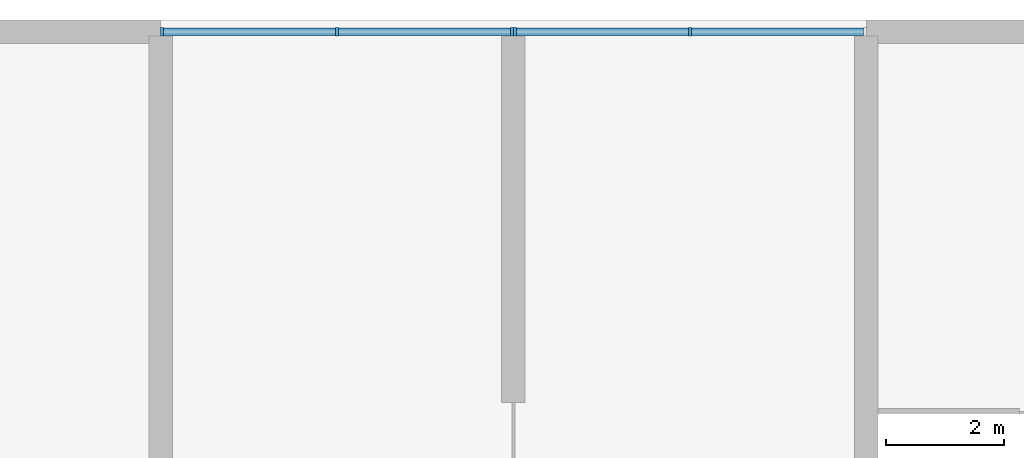
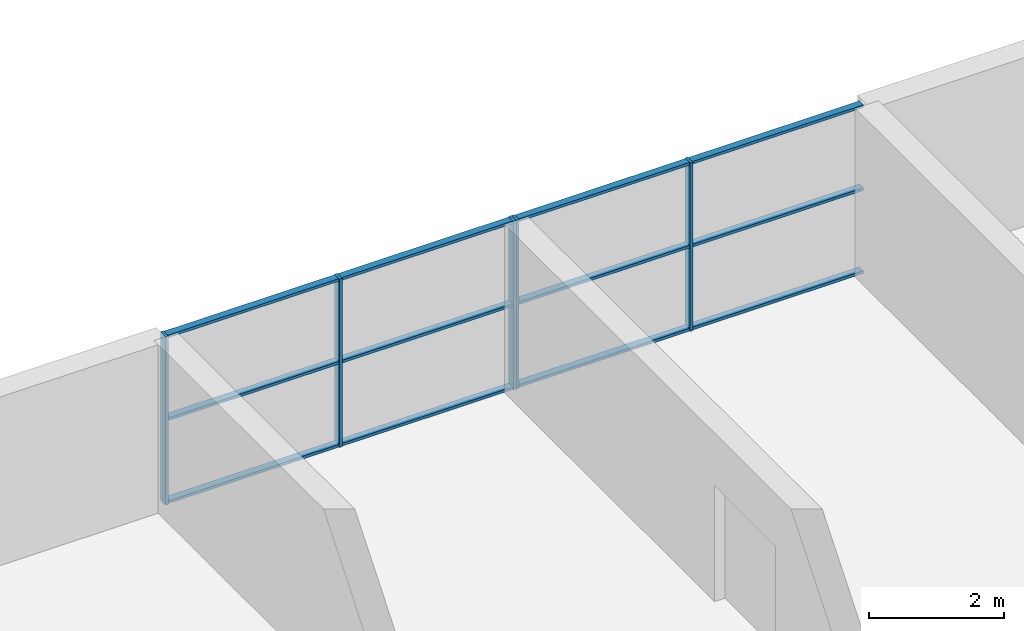
# One storey, part 3 of 21: 17 members, 2 elements without a shape of their own.
"""IFC4 building model written with IfcOpenShell, lengths in metres."""

from ifc_helpers import new_model, si_unit, direction, frame, origin, origin_2d, place, context, subcontext, project, spatial, rectangle, extrude, material, layer, layer_set, material_profile, profile_set, type_object, element, aggregate, save


model = new_model("IFC4")

# Units and contexts
model_context = context("Model", 3, precision=1e-05, world=origin(), true_north=direction((0.0, 1.0)))
body_context = subcontext(model_context, "Body", "Model", "MODEL_VIEW")
ifc_project = project(units=[si_unit("LENGTHUNIT", "METRE"), si_unit("AREAUNIT", "SQUARE_METRE"), si_unit("VOLUMEUNIT", "CUBIC_METRE"), si_unit("PLANEANGLEUNIT", "RADIAN"), si_unit("MASSUNIT", "GRAM", prefix="KILO")], contexts=[model_context])

# Site, building, storey
site_placement = place(None, origin())
site = spatial("IfcSite", under=ifc_project, at=site_placement, CompositionType="ELEMENT")
building_placement = place(site_placement, origin())
building = spatial("IfcBuilding", under=site, at=building_placement, Name="Poui Terraces", CompositionType="ELEMENT")
storey_placement = place(building_placement, frame((0.0, 0.0, 53.10009765625)))
storey = spatial("IfcBuildingStorey", under=building, at=storey_placement, Name="L14", CompositionType="ELEMENT", Elevation=53.10009765625)

# Curtain wall, members
ifc_material_1 = material(Name="Clear glass", Category="glass")
ifc_layer = layer(ifc_material_1, 0.14990234375)
ifc_layer_set = layer_set([ifc_layer], Name="Clear glass")
curtain_wall_type = type_object("IfcCurtainWallType", Name="CURTAIN WALL CW-C COMMUNITY HALL GLAZING", PredefinedType="NOTDEFINED", material=ifc_layer_set)
curtain_wall_1_placement = place(storey_placement, origin())
curtain_wall_1 = element("IfcCurtainWall", 1, at=curtain_wall_1_placement, inside=storey, type_object=curtain_wall_type, Name="CW-C COMMUNITY HALL GLAZING", PredefinedType="NOTDEFINED")
ifc_material_2 = material(Name="Aluminium frame", Category="aluminium")
ifc_material_profile_1 = material_profile(ifc_material_2, rectangle(XDim=0.14990234375, YDim=0.050048828125, at=origin_2d()), Name="CW-C MULLION 50X150")
ifc_profile_set_1 = profile_set([ifc_material_profile_1], Name="Aluminium frame")
member_type_1 = type_object("IfcMemberType", Name="CW-C MULLION 50X150", PredefinedType="MULLION", material=ifc_profile_set_1)
member_1_placement = place(storey_placement, frame((59.97509765625, 44.800048828125, 0.0), z_axis=(0.0, 0.0, 1.0), x_axis=(0.0, -1.0, 0.0)))
member_1 = element("IfcMember", 2, at=member_1_placement, type_object=member_type_1, Name="CW-C mullion 1", PredefinedType="MULLION", context=body_context, shape_type="SweptSolid", body=[
    extrude(rectangle(XDim=0.14990234375, YDim=0.050048828125, at=origin_2d()), origin(), (0.0, 0.0, 1.0), 3.0498046875),
])
member_2_placement = place(storey_placement, frame((57.0, 44.800048828125, 0.0), z_axis=(0.0, 0.0, 1.0), x_axis=(0.0, -1.0, 0.0)))
member_2 = element("IfcMember", 3, at=member_2_placement, type_object=member_type_1, Name="CW-C mullion 2", PredefinedType="MULLION", context=body_context, shape_type="SweptSolid", body=[
    extrude(rectangle(XDim=0.14990234375, YDim=0.050048828125, at=origin_2d()), origin(), (0.0, 0.0, 1.0), 3.0498046875),
])
member_3_placement = place(storey_placement, frame((54.02490234375, 44.800048828125, 0.0), z_axis=(0.0, 0.0, 1.0), x_axis=(0.0, -1.0, 0.0)))
member_3 = element("IfcMember", 4, at=member_3_placement, type_object=member_type_1, Name="CW-C mullion 3", PredefinedType="MULLION", context=body_context, shape_type="SweptSolid", body=[
    extrude(rectangle(XDim=0.14990234375, YDim=0.050048828125, at=origin_2d()), origin(), (0.0, 0.0, 1.0), 3.0498046875),
])

curtain_wall_2_placement = place(storey_placement, origin())
curtain_wall_2 = element("IfcCurtainWall", 5, at=curtain_wall_2_placement, inside=storey, type_object=curtain_wall_type, Name="CW-C COMMUNITY HALL GLAZING", PredefinedType="NOTDEFINED")
member_4_placement = place(storey_placement, frame((63.0, 44.800048828125, 0.0), z_axis=(0.0, 0.0, 1.0), x_axis=(0.0, -1.0, 0.0)))
member_4 = element("IfcMember", 6, at=member_4_placement, type_object=member_type_1, Name="CW-C mullion 2", PredefinedType="MULLION", context=body_context, shape_type="SweptSolid", body=[
    extrude(rectangle(XDim=0.14990234375, YDim=0.050048828125, at=origin_2d()), origin(), (0.0, 0.0, 1.0), 3.0498046875),
])
member_5_placement = place(storey_placement, frame((60.02490234375, 44.800048828125, 0.0), z_axis=(0.0, 0.0, 1.0), x_axis=(0.0, -1.0, 0.0)))
member_5 = element("IfcMember", 7, at=member_5_placement, type_object=member_type_1, Name="CW-C mullion 3", PredefinedType="MULLION", context=body_context, shape_type="SweptSolid", body=[
    extrude(rectangle(XDim=0.14990234375, YDim=0.050048828125, at=origin_2d()), origin(), (0.0, 0.0, 1.0), 3.0498046875),
])

# Member
ifc_material_profile_2 = material_profile(ifc_material_2, rectangle(XDim=0.1201171875, YDim=0.050048828125, at=origin_2d()), Name="CW-C TRANSOM 50X120")
ifc_profile_set_2 = profile_set([ifc_material_profile_2], Name="Aluminium frame")
member_type_2 = type_object("IfcMemberType", Name="CW-C TRANSOM 50X120", PredefinedType="USERDEFINED", material=ifc_profile_set_2)
member_6_placement = place(storey_placement, frame((59.949951171875, 44.800048828125, 0.02490234375), z_axis=(-1.0, 0.0, 0.0), x_axis=(0.0, -1.0, 0.0)))
member_6 = element("IfcMember", 8, at=member_6_placement, type_object=member_type_2, Name="CW-C transom 1.1", ObjectType="TRANSOM", PredefinedType="USERDEFINED", context=body_context, shape_type="SweptSolid", body=[
    extrude(rectangle(XDim=0.1201171875, YDim=0.050048828125, at=origin_2d()), origin(), (0.0, 0.0, 1.0), 2.925048828125),
])

member_7_placement = place(storey_placement, frame((59.949951171875, 44.800048828125, 1.52490234375), z_axis=(-1.0, 0.0, 0.0), x_axis=(0.0, -1.0, 0.0)))
member_7 = element("IfcMember", 9, at=member_7_placement, type_object=member_type_2, Name="CW-C transom 1.2", ObjectType="TRANSOM", PredefinedType="USERDEFINED", context=body_context, shape_type="SweptSolid", body=[
    extrude(rectangle(XDim=0.1201171875, YDim=0.050048828125, at=origin_2d()), origin(), (0.0, 0.0, 1.0), 2.925048828125),
])

member_8_placement = place(storey_placement, frame((59.949951171875, 44.800048828125, 3.02490234375), z_axis=(-1.0, 0.0, 0.0), x_axis=(0.0, -1.0, 0.0)))
member_8 = element("IfcMember", 10, at=member_8_placement, type_object=member_type_2, Name="CW-C transom 1.3", ObjectType="TRANSOM", PredefinedType="USERDEFINED", context=body_context, shape_type="SweptSolid", body=[
    extrude(rectangle(XDim=0.1201171875, YDim=0.050048828125, at=origin_2d()), origin(), (0.0, 0.0, 1.0), 2.925048828125),
])

member_9_placement = place(storey_placement, frame((56.97509765625, 44.800048828125, 0.02490234375), z_axis=(-1.0, 0.0, 0.0), x_axis=(0.0, -1.0, 0.0)))
member_9 = element("IfcMember", 11, at=member_9_placement, type_object=member_type_2, Name="CW-C transom 2.1", ObjectType="TRANSOM", PredefinedType="USERDEFINED", context=body_context, shape_type="SweptSolid", body=[
    extrude(rectangle(XDim=0.1201171875, YDim=0.050048828125, at=origin_2d()), origin(), (0.0, 0.0, 1.0), 2.925048828125),
])

member_10_placement = place(storey_placement, frame((56.97509765625, 44.800048828125, 1.52490234375), z_axis=(-1.0, 0.0, 0.0), x_axis=(0.0, -1.0, 0.0)))
member_10 = element("IfcMember", 12, at=member_10_placement, type_object=member_type_2, Name="CW-C transom 2.2", ObjectType="TRANSOM", PredefinedType="USERDEFINED", context=body_context, shape_type="SweptSolid", body=[
    extrude(rectangle(XDim=0.1201171875, YDim=0.050048828125, at=origin_2d()), origin(), (0.0, 0.0, 1.0), 2.925048828125),
])

member_11_placement = place(storey_placement, frame((56.97509765625, 44.800048828125, 3.02490234375), z_axis=(-1.0, 0.0, 0.0), x_axis=(0.0, -1.0, 0.0)))
member_11 = element("IfcMember", 13, at=member_11_placement, type_object=member_type_2, Name="CW-C transom 2.3", ObjectType="TRANSOM", PredefinedType="USERDEFINED", context=body_context, shape_type="SweptSolid", body=[
    extrude(rectangle(XDim=0.1201171875, YDim=0.050048828125, at=origin_2d()), origin(), (0.0, 0.0, 1.0), 2.925048828125),
])

aggregate(curtain_wall_1, [member_1, member_2, member_3, member_6, member_7, member_8, member_9, member_10, member_11])

member_12_placement = place(storey_placement, frame((65.949951171875, 44.800048828125, 0.02490234375), z_axis=(-1.0, 0.0, 0.0), x_axis=(0.0, -1.0, 0.0)))
member_12 = element("IfcMember", 14, at=member_12_placement, type_object=member_type_2, Name="CW-C transom 1.1", ObjectType="TRANSOM", PredefinedType="USERDEFINED", context=body_context, shape_type="SweptSolid", body=[
    extrude(rectangle(XDim=0.1201171875, YDim=0.050048828125, at=origin_2d()), origin(), (0.0, 0.0, 1.0), 2.925048828125),
])

member_13_placement = place(storey_placement, frame((65.949951171875, 44.800048828125, 1.52490234375), z_axis=(-1.0, 0.0, 0.0), x_axis=(0.0, -1.0, 0.0)))
member_13 = element("IfcMember", 15, at=member_13_placement, type_object=member_type_2, Name="CW-C transom 1.2", ObjectType="TRANSOM", PredefinedType="USERDEFINED", context=body_context, shape_type="SweptSolid", body=[
    extrude(rectangle(XDim=0.1201171875, YDim=0.050048828125, at=origin_2d()), origin(), (0.0, 0.0, 1.0), 2.925048828125),
])

member_14_placement = place(storey_placement, frame((65.949951171875, 44.800048828125, 3.02490234375), z_axis=(-1.0, 0.0, 0.0), x_axis=(0.0, -1.0, 0.0)))
member_14 = element("IfcMember", 16, at=member_14_placement, type_object=member_type_2, Name="CW-C transom 1.3", ObjectType="TRANSOM", PredefinedType="USERDEFINED", context=body_context, shape_type="SweptSolid", body=[
    extrude(rectangle(XDim=0.1201171875, YDim=0.050048828125, at=origin_2d()), origin(), (0.0, 0.0, 1.0), 2.925048828125),
])

member_15_placement = place(storey_placement, frame((62.97509765625, 44.800048828125, 0.02490234375), z_axis=(-1.0, 0.0, 0.0), x_axis=(0.0, -1.0, 0.0)))
member_15 = element("IfcMember", 17, at=member_15_placement, type_object=member_type_2, Name="CW-C transom 2.1", ObjectType="TRANSOM", PredefinedType="USERDEFINED", context=body_context, shape_type="SweptSolid", body=[
    extrude(rectangle(XDim=0.1201171875, YDim=0.050048828125, at=origin_2d()), origin(), (0.0, 0.0, 1.0), 2.925048828125),
])

member_16_placement = place(storey_placement, frame((62.97509765625, 44.800048828125, 1.52490234375), z_axis=(-1.0, 0.0, 0.0), x_axis=(0.0, -1.0, 0.0)))
member_16 = element("IfcMember", 18, at=member_16_placement, type_object=member_type_2, Name="CW-C transom 2.2", ObjectType="TRANSOM", PredefinedType="USERDEFINED", context=body_context, shape_type="SweptSolid", body=[
    extrude(rectangle(XDim=0.1201171875, YDim=0.050048828125, at=origin_2d()), origin(), (0.0, 0.0, 1.0), 2.925048828125),
])

member_17_placement = place(storey_placement, frame((62.97509765625, 44.800048828125, 3.02490234375), z_axis=(-1.0, 0.0, 0.0), x_axis=(0.0, -1.0, 0.0)))
member_17 = element("IfcMember", 19, at=member_17_placement, type_object=member_type_2, Name="CW-C transom 2.3", ObjectType="TRANSOM", PredefinedType="USERDEFINED", context=body_context, shape_type="SweptSolid", body=[
    extrude(rectangle(XDim=0.1201171875, YDim=0.050048828125, at=origin_2d()), origin(), (0.0, 0.0, 1.0), 2.925048828125),
])

aggregate(curtain_wall_2, [member_4, member_5, member_12, member_13, member_14, member_15, member_16, member_17])

save(model, "model.ifc")
